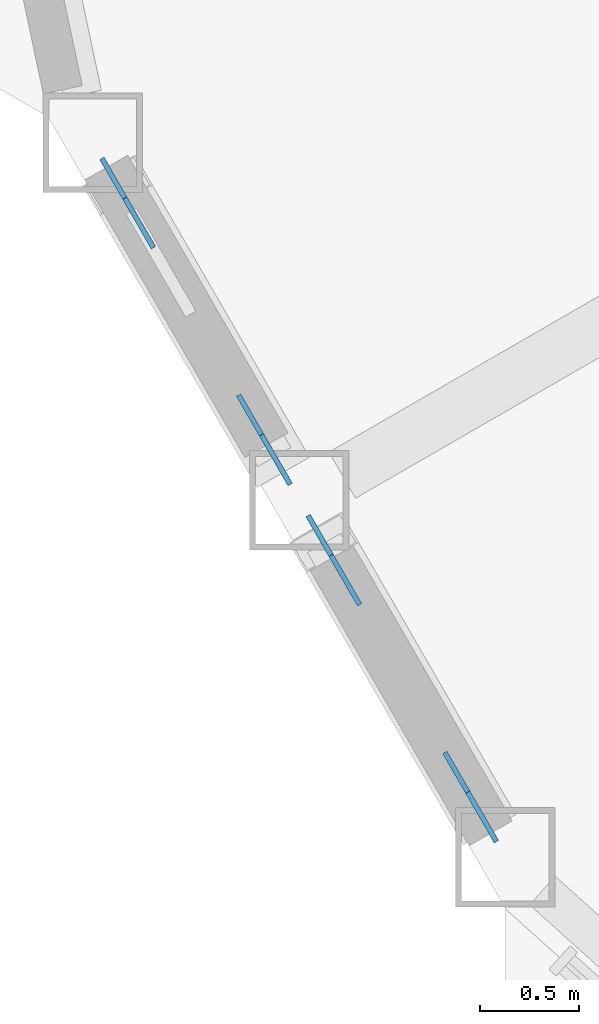
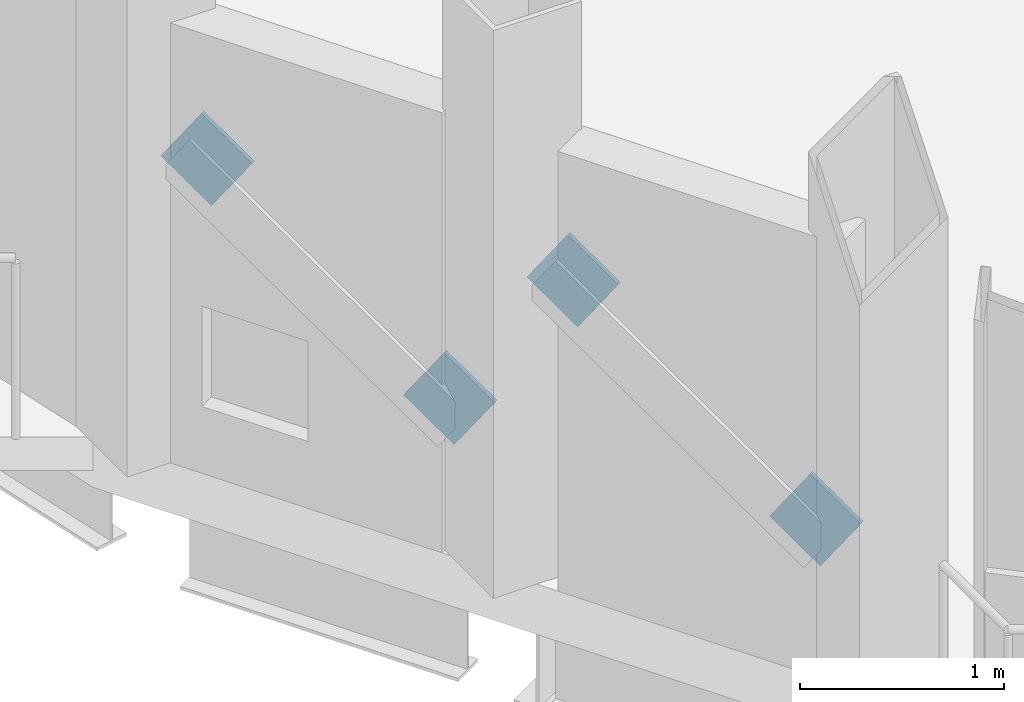
# One storey, part 18 of 25: 4 discrete accessories.
"""IFC4 building model written with IfcOpenShell, lengths in metres."""

from ifc_helpers import new_model, si_unit, direction, frame, origin, origin_2d, place, context, subcontext, project, spatial, rectangle, extrude, material, material_profile, profile_set, type_object, element, save


model = new_model("IFC4")

# Units and contexts
model_context = context("Model", 3, precision=1e-05, world=origin(), true_north=direction((0.0, 1.0)))
body_context = subcontext(model_context, "Body", "Model", "MODEL_VIEW")
ifc_project = project(units=[si_unit("LENGTHUNIT", "METRE"), si_unit("AREAUNIT", "SQUARE_METRE"), si_unit("VOLUMEUNIT", "CUBIC_METRE"), si_unit("PLANEANGLEUNIT", "RADIAN"), si_unit("MASSUNIT", "GRAM", prefix="KILO")], contexts=[model_context])

# Site, building, storey
site_placement = place(None, origin())
site = spatial("IfcSite", under=ifc_project, at=site_placement, CompositionType="ELEMENT")
building_placement = place(site_placement, origin())
building = spatial("IfcBuilding", under=site, at=building_placement, Name="Cormorant Prow Tower", CompositionType="ELEMENT")
storey_placement = place(building_placement, frame((0.0, 0.0, 391.60009765625)))
storey = spatial("IfcBuildingStorey", under=building, at=storey_placement, Name="L89", CompositionType="ELEMENT", Elevation=391.60009765625)

# Discrete accessories
ifc_material = material(Name="Structural steel ASTM A500 Gr C", Category="steel")
ifc_material_profile = material_profile(ifc_material, rectangle(XDim=0.02490234375, YDim=0.405029296875, at=origin_2d()), Name="Gusset plate 25x405")
ifc_profile_set = profile_set([ifc_material_profile], Name="Structural steel ASTM A500 Gr C")
discrete_accessory_type = type_object("IfcDiscreteAccessoryType", Name="Gusset plate 25x405", PredefinedType="BRACKET", material=ifc_profile_set)
for number, where, z_axis, x_axis, name in (
    (1, (-27.28369140625, -15.182373046875, 0.941162109375), (0.411595697368, -0.712269842394, -0.568560158228), (0.865832418869, 0.500334110806, 0.0), "Gusset plate GP3 L89.WSW00.g0"),
    (2, (-27.8271484375, -14.2412109375, 1.692626953125), (-0.411016012482, 0.712474276306, 0.568723344945), (-0.866199709737, -0.499697971631, 0.0), "Gusset plate GP3 L89.WSW00.g1"),
    (3, (-26.246826171875, -16.978271484375, 0.941162109375), (0.411595697368, -0.712269842394, -0.568560158228), (0.865832418869, 0.500334110806, 0.0), "Gusset plate GP3 L89.WSW01.g0"),
    (4, (-26.7900390625, -16.037109375, 1.692626953125), (-0.411595697368, 0.712269842394, 0.568560158228), (-0.865832418869, -0.500334110806, 0.0), "Gusset plate GP3 L89.WSW01.g1"),
):
    element("IfcDiscreteAccessory", number, at=place(storey_placement, frame(where, z_axis=z_axis, x_axis=x_axis)), inside=storey, type_object=discrete_accessory_type, Name=name, PredefinedType="BRACKET", context=body_context, shape_type="SweptSolid", body=[
        extrude(rectangle(XDim=0.02490234375, YDim=0.405029296875, at=origin_2d()), origin(), (0.0, 0.0, 1.0), 0.349853515625),
    ])

save(model, "model.ifc")
